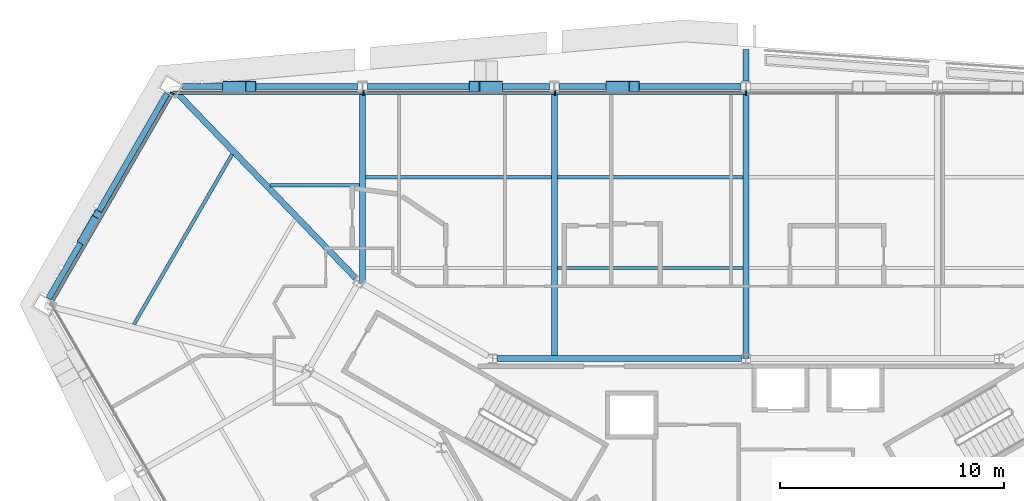
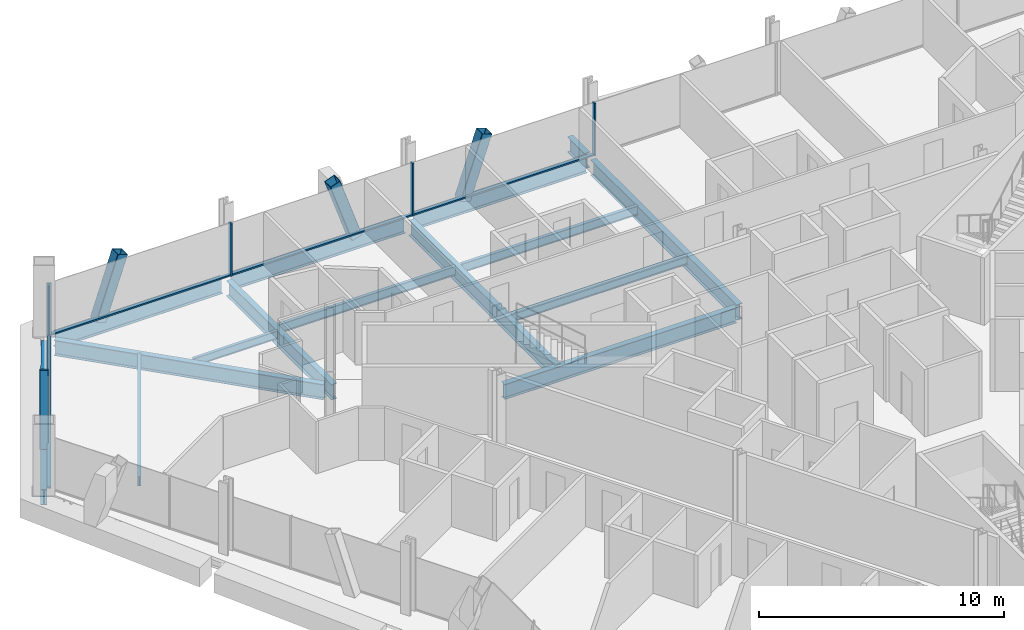
# One storey, part 8 of 20: 15 beams, 12 members, 2 elements without a shape of their own.
"""IFC4 building model written with IfcOpenShell, lengths in metres."""

from ifc_helpers import new_model, si_unit, direction, frame, origin, origin_2d, place, context, subcontext, project, spatial, rectangle, hollow_rectangle, i_section, extrude, material, material_profile, profile_set, type_object, element, aggregate, save


model = new_model("IFC4")

# Units and contexts
model_context = context("Model", 3, precision=1e-05, world=origin(), true_north=direction((0.0, 1.0)))
body_context = subcontext(model_context, "Body", "Model", "MODEL_VIEW")
ifc_project = project(units=[si_unit("LENGTHUNIT", "METRE"), si_unit("AREAUNIT", "SQUARE_METRE"), si_unit("VOLUMEUNIT", "CUBIC_METRE"), si_unit("PLANEANGLEUNIT", "RADIAN"), si_unit("MASSUNIT", "GRAM", prefix="KILO")], contexts=[model_context])

# Site, building, storey
site_placement = place(None, origin())
site = spatial("IfcSite", under=ifc_project, at=site_placement, CompositionType="ELEMENT")
building_placement = place(site_placement, origin())
building = spatial("IfcBuilding", under=site, at=building_placement, Name="Verrane Prism Tower", CompositionType="ELEMENT")
storey_placement = place(building_placement, frame((0.0, 0.0, 69.199951171875)))
storey = spatial("IfcBuildingStorey", under=building, at=storey_placement, Name="L15", CompositionType="ELEMENT", Elevation=69.199951171875)

# Member
ifc_material_1 = material(Name="Steel A500 Grade C", Category="steel")
ifc_material_profile_1 = material_profile(ifc_material_1, hollow_rectangle(XDim=0.355712890625, YDim=0.355712890625, WallThickness=0.0126953125, InnerFilletRadius=0.00634765625, OuterFilletRadius=0.01904296875, at=origin_2d()), Name="HSS14x14x1/2")
ifc_profile_set_1 = profile_set([ifc_material_profile_1], Name="Steel A500 Grade C")
member_type_1 = type_object("IfcMemberType", Name="Chamfer brace HSS14x14x1/2", PredefinedType="BRACE", material=ifc_profile_set_1)
member_1_placement = place(storey_placement, frame((-29.688720703125, 14.5, -0.2451171875), z_axis=(0.204598370086, 0.354152508626, 0.912532469336), x_axis=(-0.865889515344, 0.500235291855, 0.0)))
element("IfcMember", 1, at=member_1_placement, inside=storey, type_object=member_type_1, Name="Chamfer brace NW0 L15", PredefinedType="BRACE", context=body_context, shape_type="SweptSolid", body=[
    extrude(hollow_rectangle(XDim=0.355712890625, YDim=0.355712890625, WallThickness=0.0126953125, InnerFilletRadius=0.00634765625, OuterFilletRadius=0.01904296875, at=origin_2d()), origin(), (0.0, 0.0, 1.0), 3.291015625),
])

# Beams
ifc_material_2 = material(Name="Steel A992", Category="steel")
ifc_material_profile_2 = material_profile(ifc_material_2, i_section(OverallWidth=0.2666015625, OverallDepth=0.76708984375, WebThickness=0.014892578125, FlangeThickness=0.023681640625, FilletRadius=0.0166015625, at=origin_2d()), Name="W30x124")
ifc_profile_set_2 = profile_set([ifc_material_profile_2], Name="Steel A992")
beam_type_1 = type_object("IfcBeamType", Name="Chamfer spandrel beam W30x124", PredefinedType="SPANDREL", material=ifc_profile_set_2)
beam_1_placement = place(storey_placement, frame((-25.89501953125, 21.06689453125, -0.54345703125), z_axis=(-0.500233062516, -0.865890803257, 0.0), x_axis=(0.865890803257, -0.500233062516, 0.0)))
element("IfcBeam", 2, at=beam_1_placement, inside=storey, type_object=beam_type_1, Name="Chamfer spandrel beam L15", PredefinedType="SPANDREL", context=body_context, shape_type="SweptSolid", body=[
    extrude(i_section(OverallWidth=0.2666015625, OverallDepth=0.76708984375, WebThickness=0.014892578125, FlangeThickness=0.023681640625, FilletRadius=0.0166015625, at=origin_2d()), origin(), (0.0, 0.0, 1.0), 10.5947265625),
])
ifc_material_3 = material(Name="Steel A992", Category="steel")
ifc_material_profile_3 = material_profile(ifc_material_3, i_section(OverallWidth=0.2666015625, OverallDepth=0.7568359375, WebThickness=0.013916015625, FlangeThickness=0.019287109375, FilletRadius=0.0166015625, at=origin_2d()), Name="W30x108")
ifc_profile_set_3 = profile_set([ifc_material_profile_3], Name="Steel A992")
beam_type_2 = type_object("IfcBeamType", Name="Core ring girder W30x108", PredefinedType="BEAM", material=ifc_profile_set_3)
beam_2_placement = place(storey_placement, frame((-0.203125, 9.199951171875, -0.62841796875), z_axis=(-1.0, 0.0, 0.0), x_axis=(0.0, -1.0, 0.0)))
element("IfcBeam", 3, at=beam_2_placement, inside=storey, type_object=beam_type_2, Name="Core ring girder L15", PredefinedType="BEAM", context=body_context, shape_type="SweptSolid", body=[
    extrude(i_section(OverallWidth=0.2666015625, OverallDepth=0.7568359375, WebThickness=0.013916015625, FlangeThickness=0.019287109375, FilletRadius=0.0166015625, at=origin_2d()), origin(), (0.0, 0.0, 1.0), 10.923583984375),
])
ifc_material_4 = material(Name="Steel A992", Category="steel")
ifc_material_profile_4 = material_profile(ifc_material_4, i_section(OverallWidth=0.2666015625, OverallDepth=0.76708984375, WebThickness=0.014892578125, FlangeThickness=0.023681640625, FilletRadius=0.0166015625, at=origin_2d()), Name="W30x124")
ifc_profile_set_4 = profile_set([ifc_material_profile_4], Name="Steel A992")
beam_type_3 = type_object("IfcBeamType", Name="Corner girder W30x124", PredefinedType="BEAM", material=ifc_profile_set_4)
beam_3_placement = place(storey_placement, frame((-25.39501953125, 21.032958984375, -0.603515625), z_axis=(0.694222573205, -0.719760389889, 0.0), x_axis=(0.719760389889, 0.694222573205, 0.0)))
element("IfcBeam", 4, at=beam_3_placement, inside=storey, type_object=beam_type_3, Name="Corner girder L15", PredefinedType="BEAM", context=body_context, shape_type="SweptSolid", body=[
    extrude(i_section(OverallWidth=0.2666015625, OverallDepth=0.76708984375, WebThickness=0.014892578125, FlangeThickness=0.023681640625, FilletRadius=0.0166015625, at=origin_2d()), origin(), (0.0, 0.0, 1.0), 11.424072265625),
])

# Members
ifc_material_5 = material(Name="Steel A1085 Grade A", Category="steel")
ifc_material_profile_5 = material_profile(ifc_material_5, hollow_rectangle(XDim=0.508056640625, YDim=0.508056640625, WallThickness=0.025390625, InnerFilletRadius=0.0126953125, OuterFilletRadius=0.0380859375, at=origin_2d()), Name="HSS20x20x1")
ifc_profile_set_5 = profile_set([ifc_material_profile_5], Name="Steel A1085 Grade A")
member_type_2 = type_object("IfcMemberType", Name="Facade brace HSS20x20x1", PredefinedType="BRACE", material=ifc_profile_set_5)
member_2_placement = place(storey_placement, frame((-6.020751953125, 21.3701171875, -0.242431640625), z_axis=(0.321961967896, 0.0, 0.946752602969), x_axis=(0.0, 1.0, 0.0)))
element("IfcMember", 5, at=member_2_placement, inside=storey, type_object=member_type_2, Name="Facade brace N3 L15", PredefinedType="BRACE", context=body_context, shape_type="SweptSolid", body=[
    extrude(hollow_rectangle(XDim=0.508056640625, YDim=0.508056640625, WallThickness=0.025390625, InnerFilletRadius=0.0126953125, OuterFilletRadius=0.0380859375, at=origin_2d()), origin(), (0.0, 0.0, 1.0), 3.17724609375),
])
member_3_placement = place(storey_placement, frame((-11.122314453125, 21.3701171875, -0.242431640625), z_axis=(-0.322306280534, 0.0, 0.94663544278), x_axis=(0.0, -1.0, 0.0)))
element("IfcMember", 6, at=member_3_placement, inside=storey, type_object=member_type_2, Name="Facade brace N4 L15", PredefinedType="BRACE", context=body_context, shape_type="SweptSolid", body=[
    extrude(hollow_rectangle(XDim=0.508056640625, YDim=0.508056640625, WallThickness=0.025390625, InnerFilletRadius=0.0126953125, OuterFilletRadius=0.0380859375, at=origin_2d()), origin(), (0.0, 0.0, 1.0), 3.177734375),
])
member_4_placement = place(storey_placement, frame((-23.1708984375, 21.3701171875, -0.242431640625), z_axis=(0.322030840649, 0.0, 0.946729178631), x_axis=(0.0, 1.0, 0.0)))
element("IfcMember", 7, at=member_4_placement, inside=storey, type_object=member_type_2, Name="Facade brace N5 L15", PredefinedType="BRACE", context=body_context, shape_type="SweptSolid", body=[
    extrude(hollow_rectangle(XDim=0.508056640625, YDim=0.508056640625, WallThickness=0.025390625, InnerFilletRadius=0.0126953125, OuterFilletRadius=0.0380859375, at=origin_2d()), origin(), (0.0, 0.0, 1.0), 3.17724609375),
])

# Beams
ifc_material_6 = material(Name="Steel A992", Category="steel")
ifc_material_profile_6 = material_profile(ifc_material_6, i_section(OverallWidth=0.140380859375, OverallDepth=0.40380859375, WebThickness=0.007080078125, FlangeThickness=0.01123046875, FilletRadius=0.01025390625, at=origin_2d()), Name="W16x31")
ifc_profile_set_6 = profile_set([ifc_material_profile_6], Name="Steel A992")
beam_type_4 = type_object("IfcBeamType", Name="Floor beam W16x31", PredefinedType="BEAM", material=ifc_profile_set_6)
beam_4_placement = place(storey_placement, frame((-21.281005859375, 16.9599609375, -0.36181640625), z_axis=(1.0, 0.0, 0.0), x_axis=(0.0, 1.0, 0.0)))
element("IfcBeam", 8, at=beam_4_placement, inside=storey, type_object=beam_type_4, Name="Floor beam L15", PredefinedType="BEAM", context=body_context, shape_type="SweptSolid", body=[
    extrude(i_section(OverallWidth=0.140380859375, OverallDepth=0.40380859375, WebThickness=0.007080078125, FlangeThickness=0.01123046875, FilletRadius=0.01025390625, at=origin_2d()), origin(), (0.0, 0.0, 1.0), 3.99755859375),
])
ifc_material_7 = material(Name="Steel A992", Category="steel")
ifc_material_profile_7 = material_profile(ifc_material_7, i_section(OverallWidth=0.15234375, OverallDepth=0.449462890625, WebThickness=0.007568359375, FlangeThickness=0.0107421875, FilletRadius=0.01025390625, at=origin_2d()), Name="W18x35")
ifc_profile_set_7 = profile_set([ifc_material_profile_7], Name="Steel A992")
beam_type_5 = type_object("IfcBeamType", Name="Floor beam W18x35", PredefinedType="BEAM", material=ifc_profile_set_7)
for number, where, z_axis, x_axis, name in (
    (9, (-8.4365234375, 13.256591796875, -0.384765625), (1.0, 0.0, 0.0), (0.0, 1.0, 0.0), "Floor beam L15"),
    (10, (-8.4365234375, 17.313232421875, -0.384765625), (1.0, 0.0, 0.0), (0.0, 1.0, 0.0), "Floor beam L15"),
):
    element("IfcBeam", number, at=place(storey_placement, frame(where, z_axis=z_axis, x_axis=x_axis)), inside=storey, type_object=beam_type_5, Name=name, PredefinedType="BEAM", context=body_context, shape_type="SweptSolid", body=[
        extrude(i_section(OverallWidth=0.15234375, OverallDepth=0.449462890625, WebThickness=0.007568359375, FlangeThickness=0.0107421875, FilletRadius=0.01025390625, at=origin_2d()), origin(), (0.0, 0.0, 1.0), 8.302978515625),
    ])
beam_5_placement = place(storey_placement, frame((-17.0166015625, 17.313232421875, -0.384765625), z_axis=(1.0, 0.0, 0.0), x_axis=(0.0, 1.0, 0.0)))
element("IfcBeam", 11, at=beam_5_placement, inside=storey, type_object=beam_type_5, Name="Floor beam L15", PredefinedType="BEAM", context=body_context, shape_type="SweptSolid", body=[
    extrude(i_section(OverallWidth=0.15234375, OverallDepth=0.449462890625, WebThickness=0.007568359375, FlangeThickness=0.0107421875, FilletRadius=0.01025390625, at=origin_2d()), origin(), (0.0, 0.0, 1.0), 8.31298828125),
])
beam_6_placement = place(storey_placement, frame((-27.376708984375, 10.7333984375, -0.384765625), z_axis=(0.499991890044, 0.866030086019, 0.0), x_axis=(-0.866030086019, 0.499991890044, 0.0)))
element("IfcBeam", 12, at=beam_6_placement, inside=storey, type_object=beam_type_5, Name="Floor beam L15", PredefinedType="BEAM", context=body_context, shape_type="SweptSolid", body=[
    extrude(i_section(OverallWidth=0.15234375, OverallDepth=0.449462890625, WebThickness=0.007568359375, FlangeThickness=0.0107421875, FilletRadius=0.01025390625, at=origin_2d()), origin(), (0.0, 0.0, 1.0), 8.784912109375),
])

# Curtain wall, members
ifc_material_8 = material(Name="Aluminium framed insulated glazing", Category="aluminium")
curtain_wall_type = type_object("IfcCurtainWallType", Name="Curtain wall CW-A 8400 module", PredefinedType="NOTDEFINED", material=ifc_material_8)
curtain_wall_1_placement = place(storey_placement, origin())
curtain_wall_1 = element("IfcCurtainWall", 13, at=curtain_wall_1_placement, inside=storey, type_object=curtain_wall_type, Name="Glazed curtain wall north face L15", PredefinedType="NOTDEFINED")
ifc_material_9 = material(Name="Aluminium alloy 6063-T6", Category="aluminium")
ifc_material_profile_8 = material_profile(ifc_material_9, rectangle(XDim=0.199951171875, YDim=0.070068359375, at=origin_2d()), Name="Mullion 70x200 aluminium")
ifc_profile_set_8 = profile_set([ifc_material_profile_8], Name="Aluminium alloy 6063-T6")
member_type_3 = type_object("IfcMemberType", Name="Mullion 70x200 aluminium", PredefinedType="MULLION", material=ifc_profile_set_8)
member_5_placement = place(storey_placement, frame((0.0, 21.091064453125, 0.0), z_axis=(0.0, 0.0, 1.0), x_axis=(0.0, -1.0, 0.0)))
member_5 = element("IfcMember", 14, at=member_5_placement, type_object=member_type_3, Name="CW14.2 mullion 4", PredefinedType="MULLION", context=body_context, shape_type="SweptSolid", body=[
    extrude(rectangle(XDim=0.199951171875, YDim=0.070068359375, at=origin_2d()), origin(), (0.0, 0.0, 1.0), 2.613037109375),
])
member_6_placement = place(storey_placement, frame((-8.549560546875, 21.091064453125, 0.0), z_axis=(0.0, 0.0, 1.0), x_axis=(0.0, -1.0, 0.0)))
member_6 = element("IfcMember", 15, at=member_6_placement, type_object=member_type_3, Name="CW14.2 mullion 5", PredefinedType="MULLION", context=body_context, shape_type="SweptSolid", body=[
    extrude(rectangle(XDim=0.199951171875, YDim=0.070068359375, at=origin_2d()), origin(), (0.0, 0.0, 1.0), 2.613037109375),
])
member_7_placement = place(storey_placement, frame((-17.09912109375, 21.091064453125, 0.0), z_axis=(0.0, 0.0, 1.0), x_axis=(0.0, -1.0, 0.0)))
member_7 = element("IfcMember", 16, at=member_7_placement, type_object=member_type_3, Name="CW14.2 mullion 6", PredefinedType="MULLION", context=body_context, shape_type="SweptSolid", body=[
    extrude(rectangle(XDim=0.199951171875, YDim=0.070068359375, at=origin_2d()), origin(), (0.0, 0.0, 1.0), 2.613037109375),
])

# Curtain wall, member
curtain_wall_2_placement = place(storey_placement, origin())
curtain_wall_2 = element("IfcCurtainWall", 17, at=curtain_wall_2_placement, inside=storey, type_object=curtain_wall_type, Name="Glazed curtain wall north-west corner L15", PredefinedType="NOTDEFINED")
member_8_placement = place(storey_placement, frame((-25.666259765625, 21.060791015625, 0.0), z_axis=(0.0, 0.0, 1.0), x_axis=(0.866027351077, -0.499996627176, 0.0)))
member_8 = element("IfcMember", 18, at=member_8_placement, type_object=member_type_3, Name="CW14.3 mullion 1", PredefinedType="MULLION", context=body_context, shape_type="SweptSolid", body=[
    extrude(rectangle(XDim=0.199951171875, YDim=0.070068359375, at=origin_2d()), origin(), (0.0, 0.0, 1.0), 2.613037109375),
])

# Beams
ifc_material_10 = material(Name="Steel A992", Category="steel")
ifc_material_profile_9 = material_profile(ifc_material_10, i_section(OverallWidth=0.2666015625, OverallDepth=0.76708984375, WebThickness=0.014892578125, FlangeThickness=0.023681640625, FilletRadius=0.0166015625, at=origin_2d()), Name="W30x124")
ifc_profile_set_9 = profile_set([ifc_material_profile_9], Name="Steel A992")
beam_type_6 = type_object("IfcBeamType", Name="Radial girder W30x124", PredefinedType="BEAM", material=ifc_profile_set_9)
for number, where, z_axis, x_axis, name in (
    (19, (0.0, 21.12109375, -0.603515625), (0.0, -1.0, 0.0), (1.0, 0.0, 0.0), "Radial girder L15"),
    (20, (-8.570068359375, 21.12109375, -0.603515625), (0.0, -1.0, 0.0), (1.0, 0.0, 0.0), "Radial girder L15"),
):
    element("IfcBeam", number, at=place(storey_placement, frame(where, z_axis=z_axis, x_axis=x_axis)), inside=storey, type_object=beam_type_6, Name=name, PredefinedType="BEAM", context=body_context, shape_type="SweptSolid", body=[
        extrude(i_section(OverallWidth=0.2666015625, OverallDepth=0.76708984375, WebThickness=0.014892578125, FlangeThickness=0.023681640625, FilletRadius=0.0166015625, at=origin_2d()), origin(), (0.0, 0.0, 1.0), 11.921142578125),
    ])
beam_7_placement = place(storey_placement, frame((-17.14990234375, 21.12109375, -0.603515625), z_axis=(0.0, -1.0, 0.0), x_axis=(1.0, 0.0, 0.0)))
element("IfcBeam", 21, at=beam_7_placement, inside=storey, type_object=beam_type_6, Name="Radial girder L15", PredefinedType="BEAM", context=body_context, shape_type="SweptSolid", body=[
    extrude(i_section(OverallWidth=0.2666015625, OverallDepth=0.76708984375, WebThickness=0.014892578125, FlangeThickness=0.023681640625, FilletRadius=0.0166015625, at=origin_2d()), origin(), (0.0, 0.0, 1.0), 8.5673828125),
])
beam_8_placement = place(storey_placement, frame((0.0, 21.614990234375, -0.603515625), z_axis=(0.0, 1.0, 0.0), x_axis=(-1.0, 0.0, 0.0)))
element("IfcBeam", 22, at=beam_8_placement, inside=storey, type_object=beam_type_6, Name="Cantilever girder L15", PredefinedType="BEAM", context=body_context, shape_type="SweptSolid", body=[
    extrude(i_section(OverallWidth=0.2666015625, OverallDepth=0.76708984375, WebThickness=0.014892578125, FlangeThickness=0.023681640625, FilletRadius=0.0166015625, at=origin_2d()), origin(), (0.0, 0.0, 1.0), 1.408935546875),
])
ifc_material_11 = material(Name="Steel A992", Category="steel")
ifc_material_profile_10 = material_profile(ifc_material_11, i_section(OverallWidth=0.2666015625, OverallDepth=0.7568359375, WebThickness=0.013916015625, FlangeThickness=0.019287109375, FilletRadius=0.0166015625, at=origin_2d()), Name="W30x108")
ifc_profile_set_10 = profile_set([ifc_material_profile_10], Name="Steel A992")
beam_type_7 = type_object("IfcBeamType", Name="Spandrel beam W30x108", PredefinedType="SPANDREL", material=ifc_profile_set_10)
beam_9_placement = place(storey_placement, frame((-0.2158203125, 21.3701171875, -0.538330078125), z_axis=(-1.0, 0.0, 0.0), x_axis=(0.0, -1.0, 0.0)))
element("IfcBeam", 23, at=beam_9_placement, inside=storey, type_object=beam_type_7, Name="Spandrel beam L15", PredefinedType="SPANDREL", context=body_context, shape_type="SweptSolid", body=[
    extrude(i_section(OverallWidth=0.2666015625, OverallDepth=0.7568359375, WebThickness=0.013916015625, FlangeThickness=0.019287109375, FilletRadius=0.0166015625, at=origin_2d()), origin(), (0.0, 0.0, 1.0), 8.13818359375),
])
beam_10_placement = place(storey_placement, frame((-8.785888671875, 21.3701171875, -0.538330078125), z_axis=(-1.0, 0.0, 0.0), x_axis=(0.0, -1.0, 0.0)))
element("IfcBeam", 24, at=beam_10_placement, inside=storey, type_object=beam_type_7, Name="Spandrel beam L15", PredefinedType="SPANDREL", context=body_context, shape_type="SweptSolid", body=[
    extrude(i_section(OverallWidth=0.2666015625, OverallDepth=0.7568359375, WebThickness=0.013916015625, FlangeThickness=0.019287109375, FilletRadius=0.0166015625, at=origin_2d()), origin(), (0.0, 0.0, 1.0), 8.148193359375),
])
beam_11_placement = place(storey_placement, frame((-17.365966796875, 21.3701171875, -0.538330078125), z_axis=(-1.0, 0.0, 0.0), x_axis=(0.0, -1.0, 0.0)))
element("IfcBeam", 25, at=beam_11_placement, inside=storey, type_object=beam_type_7, Name="Spandrel beam L15", PredefinedType="SPANDREL", context=body_context, shape_type="SweptSolid", body=[
    extrude(i_section(OverallWidth=0.2666015625, OverallDepth=0.7568359375, WebThickness=0.013916015625, FlangeThickness=0.019287109375, FilletRadius=0.0166015625, at=origin_2d()), origin(), (0.0, 0.0, 1.0), 7.83447265625),
])

# Member
ifc_material_12 = material(Name="Aluminium alloy 6063-T6", Category="aluminium")
ifc_material_profile_11 = material_profile(ifc_material_12, rectangle(XDim=0.14990234375, YDim=0.070068359375, at=origin_2d()), Name="Transom 70x150 aluminium")
ifc_profile_set_11 = profile_set([ifc_material_profile_11], Name="Aluminium alloy 6063-T6")
member_type_4 = type_object("IfcMemberType", Name="Transom 70x150 aluminium", PredefinedType="USERDEFINED", material=ifc_profile_set_11)
member_9_placement = place(storey_placement, frame((-0.034912109375, 21.091064453125, 0.03515625), z_axis=(-1.0, 0.0, 0.0), x_axis=(0.0, -1.0, 0.0)))
member_9 = element("IfcMember", 26, at=member_9_placement, type_object=member_type_4, Name="CW14.2 transom 4", ObjectType="TRANSOM", PredefinedType="USERDEFINED", context=body_context, shape_type="SweptSolid", body=[
    extrude(rectangle(XDim=0.14990234375, YDim=0.070068359375, at=origin_2d()), origin(), (0.0, 0.0, 1.0), 8.479736328125),
])

member_10_placement = place(storey_placement, frame((-8.584716796875, 21.091064453125, 0.03515625), z_axis=(-1.0, 0.0, 0.0), x_axis=(0.0, -1.0, 0.0)))
member_10 = element("IfcMember", 27, at=member_10_placement, type_object=member_type_4, Name="CW14.2 transom 5", ObjectType="TRANSOM", PredefinedType="USERDEFINED", context=body_context, shape_type="SweptSolid", body=[
    extrude(rectangle(XDim=0.14990234375, YDim=0.070068359375, at=origin_2d()), origin(), (0.0, 0.0, 1.0), 8.4794921875),
])

member_11_placement = place(storey_placement, frame((-17.13427734375, 21.091064453125, 0.03515625), z_axis=(-1.0, 0.0, 0.0), x_axis=(0.0, -1.0, 0.0)))
member_11 = element("IfcMember", 28, at=member_11_placement, type_object=member_type_4, Name="CW14.2 transom 6", ObjectType="TRANSOM", PredefinedType="USERDEFINED", context=body_context, shape_type="SweptSolid", body=[
    extrude(rectangle(XDim=0.14990234375, YDim=0.070068359375, at=origin_2d()), origin(), (0.0, 0.0, 1.0), 8.514404296875),
])

aggregate(curtain_wall_1, [member_5, member_6, member_7, member_9, member_10, member_11])

member_12_placement = place(storey_placement, frame((-25.683837890625, 21.0302734375, 0.03515625), z_axis=(-0.499990896557, -0.866030659596, 0.0), x_axis=(0.866030659596, -0.499990896557, 0.0)))
member_12 = element("IfcMember", 29, at=member_12_placement, type_object=member_type_4, Name="CW14.3 transom 1", ObjectType="TRANSOM", PredefinedType="USERDEFINED", context=body_context, shape_type="SweptSolid", body=[
    extrude(rectangle(XDim=0.14990234375, YDim=0.070068359375, at=origin_2d()), origin(), (0.0, 0.0, 1.0), 10.811767578125),
])

aggregate(curtain_wall_2, [member_8, member_12])

save(model, "model.ifc")
